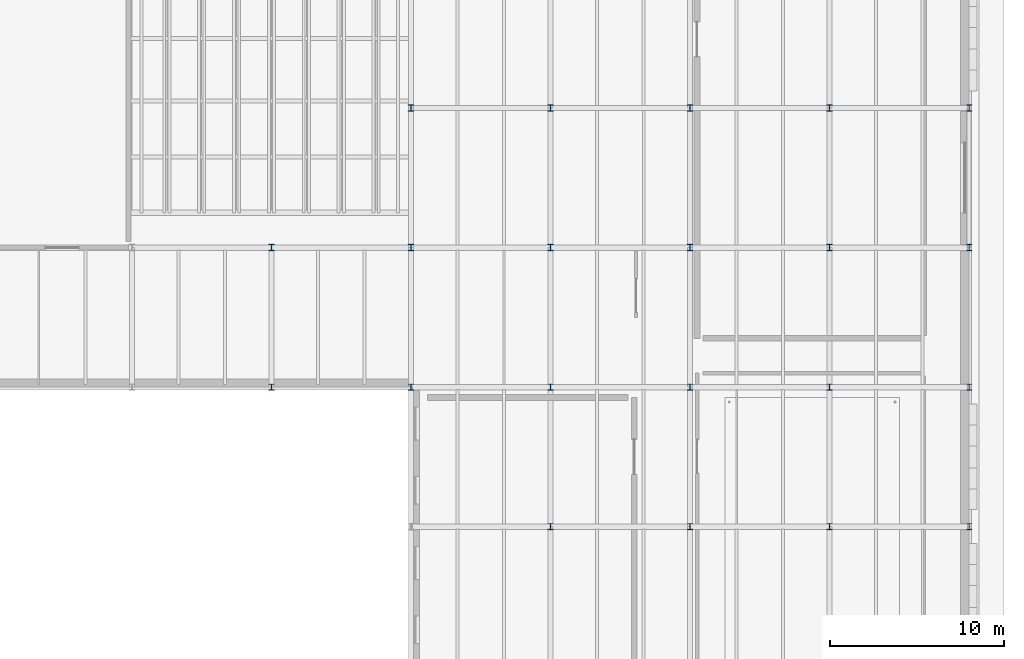
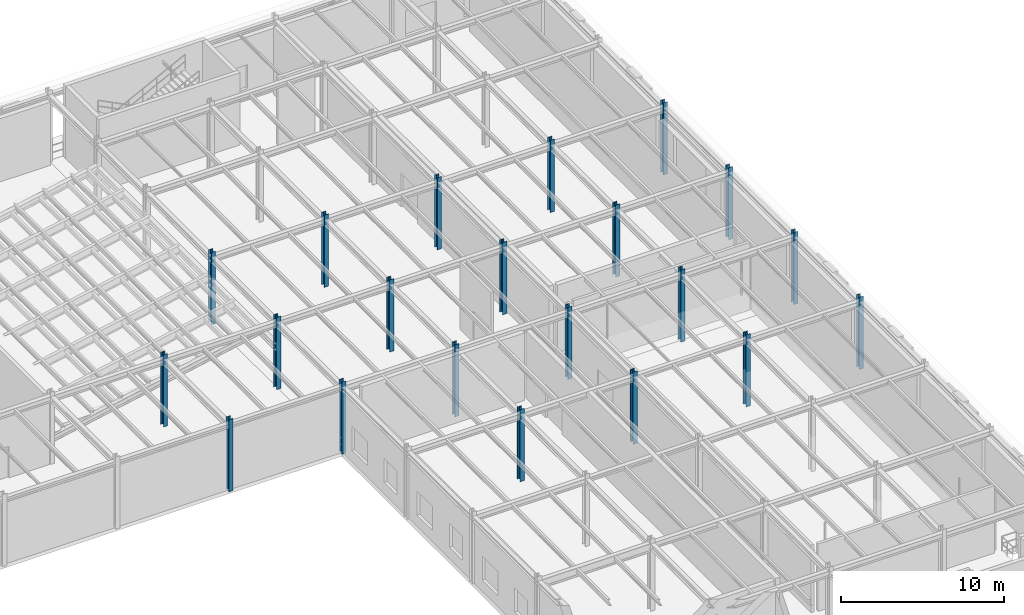
# One storey, part 22 of 129: 21 columns.
"""IFC4 building model written with IfcOpenShell, lengths in metres."""

import ifcopenshell
import ifcopenshell.guid

model = None  # the IFC model being written
_history = None  # IfcOwnerHistory: only IFC2X3 demands one
_inside = {}  # id of a spatial element -> (the spatial element, [elements in it])
_under = {}  # id of a project, library or spatial element -> (it, [spatial elements below it])
_declared = {}  # id of a project -> (the project, [libraries it declares])
_typed = {}  # id of a type object -> (the type object, [elements of that type])
_made_of = {}  # id of a material, layer set ... -> (it, [elements and type objects made of it])


def new_model(schema):
    """Start an empty IFC model of exactly this schema.

    Asked for "IFC4X3", IfcOpenShell would pick the latest addendum, in which some entities
    have other attributes; the version numbers below select the first issue.
    IFC2X3 requires an IfcOwnerHistory on every rooted entity: one is made here for all.
    """
    global model, _history
    if schema == "IFC4X3":
        model = ifcopenshell.file(schema_version=(4, 3, 0, 0))
    else:
        model = ifcopenshell.file(schema=schema)
    _inside.clear()
    _under.clear()
    _declared.clear()
    _typed.clear()
    _made_of.clear()
    _history = None
    if model.schema == "IFC2X3":
        org = make("IfcOrganization", Name="unknown")
        user = make(
            "IfcPersonAndOrganization",
            ThePerson=make("IfcPerson", FamilyName="unknown"),
            TheOrganization=org,
        )
        app = make(
            "IfcApplication",
            ApplicationDeveloper=org,
            Version="unknown",
            ApplicationFullName="unknown",
            ApplicationIdentifier="unknown",
        )
        _history = make(
            "IfcOwnerHistory",
            OwningUser=user,
            OwningApplication=app,
            ChangeAction="ADDED",
            CreationDate=0,
        )
    return model


def make(cls, **values):
    """One entity of the class cls with the attributes given. An attribute that is None is left unset."""
    return model.create_entity(
        cls, **{name: value for name, value in values.items() if value is not None}
    )


def rooted(cls, **values):
    """An entity with a GlobalId (a new one), such as an element, a storey or a relation."""
    return make(cls, GlobalId=ifcopenshell.guid.new(), OwnerHistory=_history, **values)


def si_unit(unit_type, name, prefix=None):
    """IfcSIUnit, for example si_unit("LENGTHUNIT", "METRE", prefix="MILLI")."""
    return make("IfcSIUnit", UnitType=unit_type, Prefix=prefix, Name=name)


def assignment(units):
    """IfcUnitAssignment: the units of a project."""
    return None if units is None else make("IfcUnitAssignment", Units=units)


def point(xyz):
    """IfcCartesianPoint."""
    return None if xyz is None else make("IfcCartesianPoint", Coordinates=xyz)


def direction(xyz):
    """IfcDirection."""
    return None if xyz is None else make("IfcDirection", DirectionRatios=xyz)


def frame(location, z_axis=None, x_axis=None):
    """IfcAxis2Placement3D, a coordinate frame: its origin and axes. An axis left out is left unset."""
    return make(
        "IfcAxis2Placement3D",
        Location=point(location),
        Axis=direction(z_axis),
        RefDirection=direction(x_axis),
    )


def frame_2d(location, x_axis=None):
    """IfcAxis2Placement2D, a coordinate frame in the plane: its origin and x axis."""
    return make(
        "IfcAxis2Placement2D", Location=point(location), RefDirection=direction(x_axis)
    )


def origin():
    """The frame at (0, 0, 0) with its axes left unset."""
    return frame((0.0, 0.0, 0.0))


def origin_2d():
    """The frame at (0, 0) in the plane with its x axis left unset."""
    return frame_2d((0.0, 0.0))


def place(relative_to, where):
    """IfcLocalPlacement: puts the frame where relative to a parent placement (None: the world)."""
    return make(
        "IfcLocalPlacement", PlacementRelTo=relative_to, RelativePlacement=where
    )


def context(
    kind, dimensions, precision=None, world=None, true_north=None, identifier=None
):
    """IfcGeometricRepresentationContext, for example the 3D "Model" context."""
    return make(
        "IfcGeometricRepresentationContext",
        ContextIdentifier=identifier,
        ContextType=kind,
        CoordinateSpaceDimension=dimensions,
        Precision=precision,
        WorldCoordinateSystem=world,
        TrueNorth=true_north,
    )


def subcontext(parent, identifier, kind, view, scale=None):
    """IfcGeometricRepresentationSubContext, for example "Body" below "Model"."""
    return make(
        "IfcGeometricRepresentationSubContext",
        ContextIdentifier=identifier,
        ContextType=kind,
        ParentContext=parent,
        TargetScale=scale,
        TargetView=view,
    )


def project(units=None, contexts=None):
    """IfcProject with its units and contexts."""
    return rooted(
        "IfcProject",
        Name="project",
        RepresentationContexts=contexts,
        UnitsInContext=assignment(units),
    )


def spatial(cls, under=None, at=None, **own):
    """A site, building, storey or space (cls), placed at a placement, below another one or the project."""
    s = rooted(cls, ObjectPlacement=at, **own)
    if under is not None:
        _under.setdefault(under.id(), (under, []))[1].append(s)
    return s


def profile(cls, at=None, kind="AREA", **sizes):
    """A parametric profile (cls). Its sizes go by their IFC names, for example OverallWidth=200.0."""
    return make(cls, ProfileType=kind, Position=at, **sizes)


def i_section(**sizes):
    """IfcIShapeProfileDef."""
    return profile("IfcIShapeProfileDef", **sizes)


def extrude(swept, where, along, depth):
    """IfcExtrudedAreaSolid: the profile swept, set in the frame where, extruded along a direction by depth."""
    return make(
        "IfcExtrudedAreaSolid",
        SweptArea=swept,
        Position=where,
        ExtrudedDirection=direction(along),
        Depth=depth,
    )


def shape(context_of_items, identifier, shape_type, items):
    """IfcShapeRepresentation: the items that make up one representation, for example the "Body"."""
    return make(
        "IfcShapeRepresentation",
        ContextOfItems=context_of_items,
        RepresentationIdentifier=identifier,
        RepresentationType=shape_type,
        Items=items,
    )


def material(Name=None, Category=None):
    """IfcMaterial."""
    return make("IfcMaterial", Name=Name, Category=Category)


def material_profile(
    of_material, cross_section, Name=None, Category=None, Priority=None
):
    """IfcMaterialProfile: a cross section and its material."""
    return make(
        "IfcMaterialProfile",
        Name=Name,
        Material=of_material,
        Profile=cross_section,
        Priority=Priority,
        Category=Category,
    )


def profile_set(profiles, Name=None, composite=None):
    """IfcMaterialProfileSet."""
    return make(
        "IfcMaterialProfileSet",
        Name=Name,
        MaterialProfiles=profiles,
        CompositeProfile=composite,
    )


def made_of(thing, what):
    """Note that an element or type object is made of a material, layer set ...; save() writes the relation."""
    if what is not None:
        _made_of.setdefault(what.id(), (what, []))[1].append(thing)
    return thing


def type_object(cls, material=None, **own):
    """A type object (cls), such as IfcWallType, which elements share."""
    return made_of(rooted(cls, **own), material)


def element(
    cls,
    number,
    at=None,
    inside=None,
    cuts=None,
    type_object=None,
    material=None,
    context=None,
    identifier="Body",
    shape_type=None,
    held_by="IfcProductDefinitionShape",
    body=None,
    shapes=None,
    **own,
):
    """One element of the class cls, such as IfcWall. Its Tag is "e" and its number.

    at: its placement. inside: the storey or other place that contains it. cuts: it is an
    opening in that element (IfcRelVoidsElement). A single representation is given by context,
    identifier, shape_type and body (its items); several are given by shapes. held_by: the class
    of the entity that holds the representations. save() writes the other relations.
    """
    e = rooted(cls, Tag="e%d" % number, ObjectPlacement=at, **own)
    if body is not None:
        shapes = [shape(context, identifier, shape_type, body)]
    if shapes is not None:
        e.Representation = make(held_by, Representations=shapes)
    if inside is not None:
        _inside.setdefault(inside.id(), (inside, []))[1].append(e)
    if cuts is not None:
        rooted(
            "IfcRelVoidsElement", RelatingBuildingElement=cuts, RelatedOpeningElement=e
        )
    if type_object is not None:
        _typed.setdefault(type_object.id(), (type_object, []))[1].append(e)
    return made_of(e, material)


def aggregate(whole, parts):
    """IfcRelAggregates: a whole, such as a stair, and the parts it consists of."""
    return rooted("IfcRelAggregates", RelatingObject=whole, RelatedObjects=parts)


def save(model, path):
    """Write the relations noted so far, then the file.

    IfcRelAggregates (storeys below a building ...), IfcRelContainedInSpatialStructure (elements
    in a storey), IfcRelDefinesByType, IfcRelAssociatesMaterial and IfcRelDeclares: one each for
    every whole, place, type object, material and project.
    """
    for whole, parts in _under.values():
        aggregate(whole, parts)
    for where, things in _inside.values():
        rooted(
            "IfcRelContainedInSpatialStructure",
            RelatedElements=things,
            RelatingStructure=where,
        )
    for kind, things in _typed.values():
        rooted("IfcRelDefinesByType", RelatedObjects=things, RelatingType=kind)
    for what, things in _made_of.values():
        rooted("IfcRelAssociatesMaterial", RelatedObjects=things, RelatingMaterial=what)
    for by, libraries in _declared.values():
        rooted("IfcRelDeclares", RelatingContext=by, RelatedDefinitions=libraries)
    model.write(path)


model = new_model("IFC4")

# Units and contexts
model_context = context("Model", 3, precision=1e-05, world=origin(), true_north=direction((0.0, 1.0)))
body_context = subcontext(model_context, "Body", "Model", "MODEL_VIEW")
ifc_project = project(units=[si_unit("LENGTHUNIT", "METRE"), si_unit("AREAUNIT", "SQUARE_METRE"), si_unit("VOLUMEUNIT", "CUBIC_METRE"), si_unit("PLANEANGLEUNIT", "RADIAN"), si_unit("MASSUNIT", "GRAM", prefix="KILO")], contexts=[model_context])

# Site, building, storey
site_placement = place(None, origin())
site = spatial("IfcSite", under=ifc_project, at=site_placement, CompositionType="ELEMENT")
building_placement = place(site_placement, origin())
building = spatial("IfcBuilding", under=site, at=building_placement, Name="Sundkrona Museum", CompositionType="ELEMENT")
storey_placement = place(building_placement, origin())
storey = spatial("IfcBuildingStorey", under=building, at=storey_placement, Name="L00", CompositionType="ELEMENT", Elevation=0.0)

# Columns
ifc_material = material(Name="Steel S355J2", Category="steel")
ifc_material_profile = material_profile(ifc_material, i_section(OverallWidth=0.300048828125, OverallDepth=0.360107421875, WebThickness=0.012451171875, FlangeThickness=0.0224609375, FilletRadius=0.027099609375, at=origin_2d()), Name="HEB 360")
ifc_profile_set = profile_set([ifc_material_profile], Name="Steel S355J2")
column_type = type_object("IfcColumnType", Name="C-HEB360", PredefinedType="COLUMN", material=ifc_profile_set)
for number, where, z_axis, x_axis, name in (
    (1, (128.0, 78.0, 0.0), (0.0, 0.0, 1.0), (1.0, 0.0, 0.0), "L00 Column L/17"),
    (2, (128.0, 86.0, 0.0), (0.0, 0.0, 1.0), (1.0, 0.0, 0.0), "L00 Column M/17"),
    (3, (136.0, 78.0, 0.0), (0.0, 0.0, 1.0), (1.0, 0.0, 0.0), "L00 Column L/18"),
    (4, (136.0, 86.0, 0.0), (0.0, 0.0, 1.0), (1.0, 0.0, 0.0), "L00 Column M/18"),
    (5, (136.0, 94.0, 0.0), (0.0, 0.0, 1.0), (1.0, 0.0, 0.0), "L00 Column N/18"),
    (6, (144.0, 70.0, 0.0), (0.0, 0.0, 1.0), (1.0, 0.0, 0.0), "L00 Column K/19"),
    (7, (144.0, 78.0, 0.0), (0.0, 0.0, 1.0), (1.0, 0.0, 0.0), "L00 Column L/19"),
    (8, (144.0, 86.0, 0.0), (0.0, 0.0, 1.0), (1.0, 0.0, 0.0), "L00 Column M/19"),
    (9, (144.0, 94.0, 0.0), (0.0, 0.0, 1.0), (1.0, 0.0, 0.0), "L00 Column N/19"),
    (10, (152.0, 70.0, 0.0), (0.0, 0.0, 1.0), (1.0, 0.0, 0.0), "L00 Column K/20"),
    (11, (152.0, 78.0, 0.0), (0.0, 0.0, 1.0), (1.0, 0.0, 0.0), "L00 Column L/20"),
    (12, (152.0, 86.0, 0.0), (0.0, 0.0, 1.0), (1.0, 0.0, 0.0), "L00 Column M/20"),
    (13, (152.0, 94.0, 0.0), (0.0, 0.0, 1.0), (1.0, 0.0, 0.0), "L00 Column N/20"),
    (14, (160.0, 70.0, 0.0), (0.0, 0.0, 1.0), (1.0, 0.0, 0.0), "L00 Column K/21"),
    (15, (160.0, 78.0, 0.0), (0.0, 0.0, 1.0), (1.0, 0.0, 0.0), "L00 Column L/21"),
    (16, (160.0, 86.0, 0.0), (0.0, 0.0, 1.0), (1.0, 0.0, 0.0), "L00 Column M/21"),
    (17, (160.0, 94.0, 0.0), (0.0, 0.0, 1.0), (1.0, 0.0, 0.0), "L00 Column N/21"),
    (18, (168.0, 70.0, 0.0), (0.0, 0.0, 1.0), (1.0, 0.0, 0.0), "L00 Column K/22"),
    (19, (168.0, 78.0, 0.0), (0.0, 0.0, 1.0), (1.0, 0.0, 0.0), "L00 Column L/22"),
    (20, (168.0, 86.0, 0.0), (0.0, 0.0, 1.0), (1.0, 0.0, 0.0), "L00 Column M/22"),
    (21, (168.0, 94.0, 0.0), (0.0, 0.0, 1.0), (1.0, 0.0, 0.0), "L00 Column N/22"),
):
    element("IfcColumn", number, at=place(storey_placement, frame(where, z_axis=z_axis, x_axis=x_axis)), inside=storey, type_object=column_type, Name=name, PredefinedType="COLUMN", context=body_context, shape_type="SweptSolid", body=[
        extrude(i_section(OverallWidth=0.300048828125, OverallDepth=0.360107421875, WebThickness=0.012451171875, FlangeThickness=0.0224609375, FilletRadius=0.027099609375, at=origin_2d()), origin(), (0.0, 0.0, 1.0), 5.39990234375),
    ])

save(model, "model.ifc")
